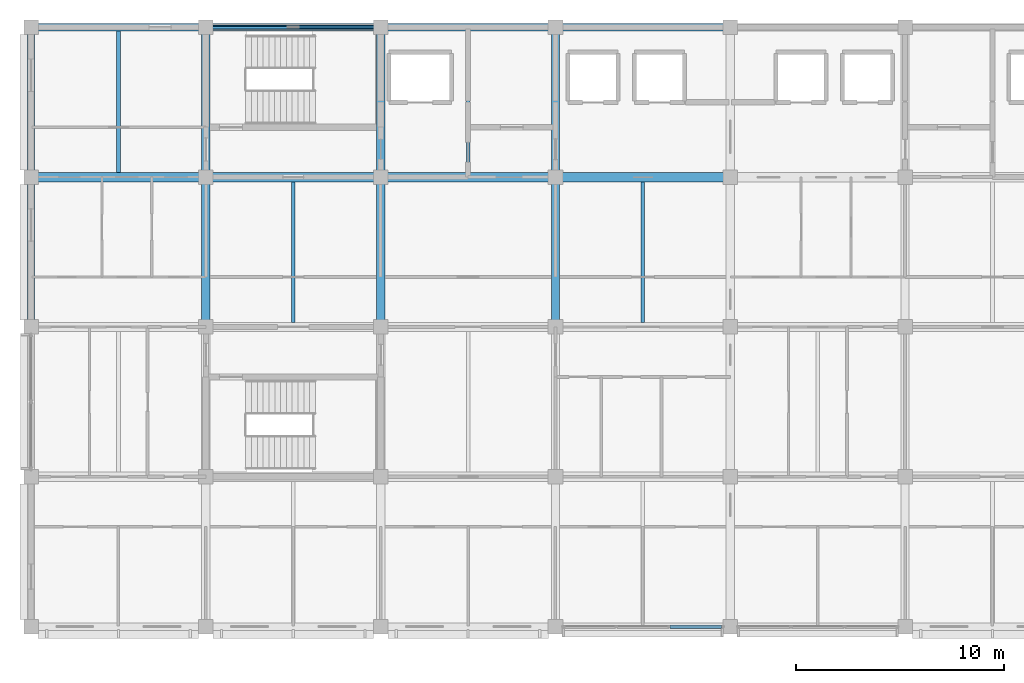
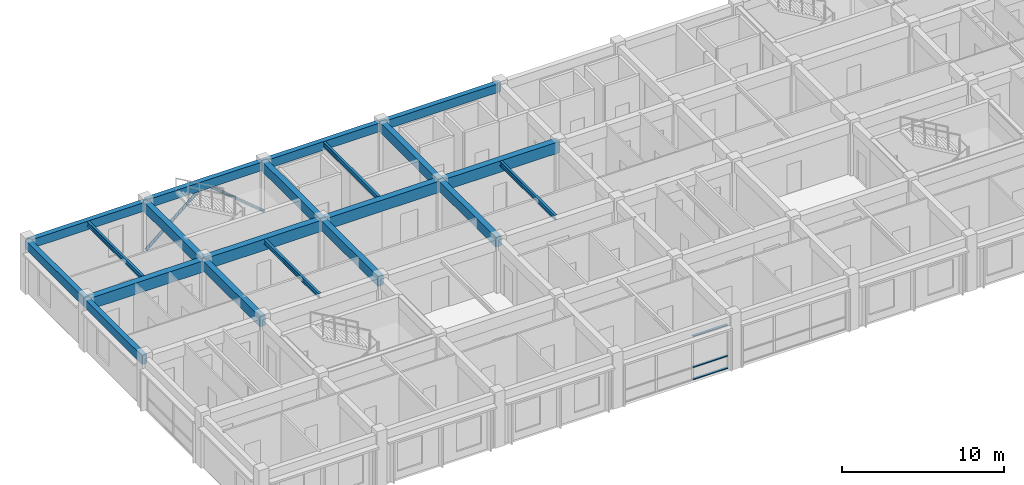
# One storey, part 4 of 19: 20 beams, 5 members, 1 element without a shape of its own.
"""IFC4 building model written with IfcOpenShell, lengths in metres."""

from ifc_helpers import new_model, si_unit, direction, frame, origin, origin_2d, place, context, subcontext, project, spatial, rectangle, hollow_circle, i_section, extrude, material, layer, layer_set, material_profile, profile_set, type_object, element, aggregate, save


model = new_model("IFC4")

# Units and contexts
model_context = context("Model", 3, precision=1e-05, world=origin(), true_north=direction((0.0, 1.0)))
body_context = subcontext(model_context, "Body", "Model", "MODEL_VIEW")
ifc_project = project(units=[si_unit("LENGTHUNIT", "METRE"), si_unit("AREAUNIT", "SQUARE_METRE"), si_unit("VOLUMEUNIT", "CUBIC_METRE"), si_unit("PLANEANGLEUNIT", "RADIAN"), si_unit("MASSUNIT", "GRAM", prefix="KILO")], contexts=[model_context])

# Site, building, storey
site_placement = place(None, origin())
site = spatial("IfcSite", under=ifc_project, at=site_placement, CompositionType="ELEMENT")
building_placement = place(site_placement, origin())
building = spatial("IfcBuilding", under=site, at=building_placement, Name="Chengyuan Square Courthouse", CompositionType="ELEMENT")
storey_placement = place(building_placement, frame((0.0, 0.0, 56.10009765625)))
storey = spatial("IfcBuildingStorey", under=building, at=storey_placement, Name="L13", CompositionType="ELEMENT", Elevation=56.10009765625)

# Beams
ifc_material_1 = material(Name="Concrete C40", Category="concrete")
ifc_material_profile_1 = material_profile(ifc_material_1, rectangle(XDim=0.449951171875, YDim=0.85009765625, at=origin_2d()), Name="RC-BM-450x850")
ifc_profile_set_1 = profile_set([ifc_material_profile_1], Name="Concrete C40")
beam_type_1 = type_object("IfcBeamType", Name="BM-01", PredefinedType="USERDEFINED", material=ifc_profile_set_1)
beam_1_placement = place(storey_placement, frame((50.39990234375, 100.800048828125, 3.4248046875), z_axis=(1.0, 0.0, 0.0), x_axis=(0.0, 1.0, 0.0)))
element("IfcBeam", 1, at=beam_1_placement, inside=storey, type_object=beam_type_1, Name="Girder BM-L13-4359", ObjectType="GIRDER", PredefinedType="USERDEFINED", context=body_context, shape_type="SweptSolid", body=[
    extrude(rectangle(XDim=0.449951171875, YDim=0.85009765625, at=origin_2d()), origin(), (0.0, 0.0, 1.0), 8.400146484375),
])
beam_2_placement = place(storey_placement, frame((58.800048828125, 100.800048828125, 3.534912109375), z_axis=(1.0, 0.0, 0.0), x_axis=(0.0, 1.0, 0.0)))
element("IfcBeam", 2, at=beam_2_placement, inside=storey, type_object=beam_type_1, Name="Girder BM-L13-4360", ObjectType="GIRDER", PredefinedType="USERDEFINED", context=body_context, shape_type="SweptSolid", body=[
    extrude(rectangle(XDim=0.449951171875, YDim=0.85009765625, at=origin_2d()), origin(), (0.0, 0.0, 1.0), 8.39990234375),
])
beam_3_placement = place(storey_placement, frame((67.199951171875, 100.800048828125, 3.534912109375), z_axis=(1.0, 0.0, 0.0), x_axis=(0.0, 1.0, 0.0)))
element("IfcBeam", 3, at=beam_3_placement, inside=storey, type_object=beam_type_1, Name="Girder BM-L13-4361", ObjectType="GIRDER", PredefinedType="USERDEFINED", context=body_context, shape_type="SweptSolid", body=[
    extrude(rectangle(XDim=0.449951171875, YDim=0.85009765625, at=origin_2d()), origin(), (0.0, 0.0, 1.0), 8.400146484375),
])
beam_4_placement = place(storey_placement, frame((75.60009765625, 100.800048828125, 3.534912109375), z_axis=(1.0, 0.0, 0.0), x_axis=(0.0, 1.0, 0.0)))
element("IfcBeam", 4, at=beam_4_placement, inside=storey, type_object=beam_type_1, Name="Girder BM-L13-4362", ObjectType="GIRDER", PredefinedType="USERDEFINED", context=body_context, shape_type="SweptSolid", body=[
    extrude(rectangle(XDim=0.449951171875, YDim=0.85009765625, at=origin_2d()), origin(), (0.0, 0.0, 1.0), 8.39990234375),
])
ifc_material_profile_2 = material_profile(ifc_material_1, rectangle(XDim=0.39990234375, YDim=0.75, at=origin_2d()), Name="RC-BM-400x750")
ifc_profile_set_2 = profile_set([ifc_material_profile_2], Name="Concrete C40")
beam_type_2 = type_object("IfcBeamType", Name="BM-02", PredefinedType="USERDEFINED", material=ifc_profile_set_2)
for number, where, z_axis, x_axis, name in (
    (5, (58.800048828125, 93.60009765625, 3.474853515625), (0.0, 1.0, 0.0), (-1.0, 0.0, 0.0), "Girder BM-L13-4381"),
    (6, (58.800048828125, 100.800048828125, 3.474853515625), (0.0, 1.0, 0.0), (-1.0, 0.0, 0.0), "Girder BM-L13-4382"),
    (7, (67.199951171875, 93.60009765625, 3.5849609375), (0.0, 1.0, 0.0), (-1.0, 0.0, 0.0), "Girder BM-L13-4385"),
    (8, (67.199951171875, 100.800048828125, 3.5849609375), (0.0, 1.0, 0.0), (-1.0, 0.0, 0.0), "Girder BM-L13-4386"),
    (9, (75.60009765625, 93.60009765625, 3.5849609375), (0.0, 1.0, 0.0), (-1.0, 0.0, 0.0), "Girder BM-L13-4389"),
    (10, (75.60009765625, 100.800048828125, 3.5849609375), (0.0, 1.0, 0.0), (-1.0, 0.0, 0.0), "Girder BM-L13-4390"),
):
    element("IfcBeam", number, at=place(storey_placement, frame(where, z_axis=z_axis, x_axis=x_axis)), inside=storey, type_object=beam_type_2, Name=name, ObjectType="GIRDER", PredefinedType="USERDEFINED", context=body_context, shape_type="SweptSolid", body=[
        extrude(rectangle(XDim=0.39990234375, YDim=0.75, at=origin_2d()), origin(), (0.0, 0.0, 1.0), 7.199951171875),
    ])
ifc_material_profile_3 = material_profile(ifc_material_1, rectangle(XDim=0.35009765625, YDim=0.64990234375, at=origin_2d()), Name="RC-BM-350x650")
ifc_profile_set_3 = profile_set([ifc_material_profile_3], Name="Concrete C40")
beam_type_3 = type_object("IfcBeamType", Name="BM-03", PredefinedType="SPANDREL", material=ifc_profile_set_3)
beam_5_placement = place(storey_placement, frame((50.39990234375, 108.0, 3.52490234375), z_axis=(1.0, 0.0, 0.0), x_axis=(0.0, 1.0, 0.0)))
element("IfcBeam", 11, at=beam_5_placement, inside=storey, type_object=beam_type_3, Name="Girder BM-L13-4367", PredefinedType="SPANDREL", context=body_context, shape_type="SweptSolid", body=[
    extrude(rectangle(XDim=0.35009765625, YDim=0.64990234375, at=origin_2d()), origin(), (0.0, 0.0, 1.0), 8.400146484375),
])
beam_6_placement = place(storey_placement, frame((58.800048828125, 108.0, 3.635009765625), z_axis=(1.0, 0.0, 0.0), x_axis=(0.0, 1.0, 0.0)))
element("IfcBeam", 12, at=beam_6_placement, inside=storey, type_object=beam_type_3, Name="Girder BM-L13-4368", PredefinedType="SPANDREL", context=body_context, shape_type="SweptSolid", body=[
    extrude(rectangle(XDim=0.35009765625, YDim=0.64990234375, at=origin_2d()), origin(), (0.0, 0.0, 1.0), 8.39990234375),
])
beam_7_placement = place(storey_placement, frame((67.199951171875, 108.0, 3.635009765625), z_axis=(1.0, 0.0, 0.0), x_axis=(0.0, 1.0, 0.0)))
element("IfcBeam", 13, at=beam_7_placement, inside=storey, type_object=beam_type_3, Name="Girder BM-L13-4369", PredefinedType="SPANDREL", context=body_context, shape_type="SweptSolid", body=[
    extrude(rectangle(XDim=0.35009765625, YDim=0.64990234375, at=origin_2d()), origin(), (0.0, 0.0, 1.0), 8.400146484375),
])
beam_8_placement = place(storey_placement, frame((75.60009765625, 108.0, 3.635009765625), z_axis=(1.0, 0.0, 0.0), x_axis=(0.0, 1.0, 0.0)))
element("IfcBeam", 14, at=beam_8_placement, inside=storey, type_object=beam_type_3, Name="Girder BM-L13-4370", PredefinedType="SPANDREL", context=body_context, shape_type="SweptSolid", body=[
    extrude(rectangle(XDim=0.35009765625, YDim=0.64990234375, at=origin_2d()), origin(), (0.0, 0.0, 1.0), 8.39990234375),
])
for number, where, z_axis, x_axis, name in (
    (15, (50.39990234375, 93.60009765625, 3.52490234375), (0.0, 1.0, 0.0), (-1.0, 0.0, 0.0), "Girder BM-L13-4377"),
    (16, (50.39990234375, 100.800048828125, 3.52490234375), (0.0, 1.0, 0.0), (-1.0, 0.0, 0.0), "Girder BM-L13-4378"),
):
    element("IfcBeam", number, at=place(storey_placement, frame(where, z_axis=z_axis, x_axis=x_axis)), inside=storey, type_object=beam_type_3, Name=name, PredefinedType="SPANDREL", context=body_context, shape_type="SweptSolid", body=[
        extrude(rectangle(XDim=0.35009765625, YDim=0.64990234375, at=origin_2d()), origin(), (0.0, 0.0, 1.0), 7.199951171875),
    ])
ifc_material_2 = material(Name="Steel Q355B", Category="steel")
ifc_material_profile_4 = material_profile(ifc_material_2, i_section(OverallWidth=0.175048828125, OverallDepth=0.35009765625, WebThickness=0.007080078125, FlangeThickness=0.010986328125, at=origin_2d()), Name="HN 350x175x7x11")
ifc_profile_set_4 = profile_set([ifc_material_profile_4], Name="Steel Q355B")
beam_type_4 = type_object("IfcBeamType", Name="BM-08", PredefinedType="BEAM", material=ifc_profile_set_4)
beam_9_placement = place(storey_placement, frame((54.60009765625, 101.02490234375, 3.6748046875), z_axis=(0.0, 1.0, 0.0), x_axis=(-1.0, 0.0, 0.0)))
element("IfcBeam", 17, at=beam_9_placement, inside=storey, type_object=beam_type_4, Name="Secondary Floor Beam SBM-L13-4412", PredefinedType="BEAM", context=body_context, shape_type="SweptSolid", body=[
    extrude(i_section(OverallWidth=0.175048828125, OverallDepth=0.35009765625, WebThickness=0.007080078125, FlangeThickness=0.010986328125, at=origin_2d()), origin(), (0.0, 0.0, 1.0), 6.800048828125),
])
beam_10_placement = place(storey_placement, frame((63.0, 93.824951171875, 3.784912109375), z_axis=(0.0, 1.0, 0.0), x_axis=(-1.0, 0.0, 0.0)))
element("IfcBeam", 18, at=beam_10_placement, inside=storey, type_object=beam_type_4, Name="Secondary Floor Beam SBM-L13-4414", PredefinedType="BEAM", context=body_context, shape_type="SweptSolid", body=[
    extrude(i_section(OverallWidth=0.175048828125, OverallDepth=0.35009765625, WebThickness=0.007080078125, FlangeThickness=0.010986328125, at=origin_2d()), origin(), (0.0, 0.0, 1.0), 6.75),
])
beam_11_placement = place(storey_placement, frame((71.39990234375, 101.02490234375, 3.784912109375), z_axis=(0.0, 1.0, 0.0), x_axis=(-1.0, 0.0, 0.0)))
element("IfcBeam", 19, at=beam_11_placement, inside=storey, type_object=beam_type_4, Name="Secondary Floor Beam SBM-L13-4416", PredefinedType="BEAM", context=body_context, shape_type="SweptSolid", body=[
    extrude(i_section(OverallWidth=0.175048828125, OverallDepth=0.35009765625, WebThickness=0.007080078125, FlangeThickness=0.010986328125, at=origin_2d()), origin(), (0.0, 0.0, 1.0), 6.800048828125),
])
beam_12_placement = place(storey_placement, frame((79.800048828125, 93.824951171875, 3.784912109375), z_axis=(0.0, 1.0, 0.0), x_axis=(-1.0, 0.0, 0.0)))
element("IfcBeam", 20, at=beam_12_placement, inside=storey, type_object=beam_type_4, Name="Secondary Floor Beam SBM-L13-4418", PredefinedType="BEAM", context=body_context, shape_type="SweptSolid", body=[
    extrude(i_section(OverallWidth=0.175048828125, OverallDepth=0.35009765625, WebThickness=0.007080078125, FlangeThickness=0.010986328125, at=origin_2d()), origin(), (0.0, 0.0, 1.0), 6.75),
])

# Members
ifc_material_profile_5 = material_profile(ifc_material_2, hollow_circle(Radius=0.109619140625, WallThickness=0.008056640625, at=origin_2d()), Name="CHS 219x8")
ifc_profile_set_5 = profile_set([ifc_material_profile_5], Name="Steel Q355B")
member_type_1 = type_object("IfcMemberType", Name="BR-02", PredefinedType="BRACE", material=ifc_profile_set_5)
for number, where, z_axis, x_axis, name in (
    (21, (58.800048828125, 108.0, 0.099853515625), (0.767317473151, 0.0, 0.641267413329), (0.0, 1.0, 0.0), "Steel Chevron Brace BR-L13-049"),
    (22, (67.199951171875, 108.0, 0.099853515625), (-0.767317473151, 0.0, 0.641267413329), (0.0, -1.0, 0.0), "Steel Chevron Brace BR-L13-050"),
):
    element("IfcMember", number, at=place(storey_placement, frame(where, z_axis=z_axis, x_axis=x_axis)), inside=storey, type_object=member_type_1, Name=name, PredefinedType="BRACE", context=body_context, shape_type="SweptSolid", body=[
        extrude(hollow_circle(Radius=0.109619140625, WallThickness=0.008056640625, at=origin_2d()), origin(), (0.0, 0.0, 1.0), 5.4736328125),
    ])

# Curtain wall, members
ifc_material_3 = material(Name="Unitised Aluminium and Triple Low-E Glass", Category="aluminium")
ifc_layer = layer(ifc_material_3, 0.159912109375)
ifc_layer_set = layer_set([ifc_layer], Name="Unitised Aluminium and Triple Low-E Glass")
curtain_wall_type = type_object("IfcCurtainWallType", Name="CW-13", PredefinedType="USERDEFINED", material=ifc_layer_set)
curtain_wall_placement = place(storey_placement, origin())
curtain_wall = element("IfcCurtainWall", 23, at=curtain_wall_placement, inside=storey, type_object=curtain_wall_type, Name="Unitised Curtain Wall CW-L13-267", ObjectType="UNITISED CURTAIN WALL", PredefinedType="USERDEFINED")
ifc_material_4 = material(Name="Aluminium 6063-T6 Frame", Category="aluminium")
ifc_material_profile_6 = material_profile(ifc_material_4, rectangle(XDim=0.159912109375, YDim=0.06005859375, at=origin_2d()), Name="CW-TRN-60x120")
ifc_profile_set_6 = profile_set([ifc_material_profile_6], Name="Aluminium 6063-T6 Frame")
member_type_2 = type_object("IfcMemberType", Name="CWT-01", PredefinedType="USERDEFINED", material=ifc_profile_set_6)
member_1_placement = place(storey_placement, frame((81.11328125, 79.199951171875, 0.02978515625), z_axis=(1.0, 0.0, 0.0), x_axis=(0.0, 1.0, 0.0)))
member_1 = element("IfcMember", 24, at=member_1_placement, type_object=member_type_2, Name="CW-13 transom 3.1", ObjectType="TRANSOM", PredefinedType="USERDEFINED", context=body_context, shape_type="SweptSolid", body=[
    extrude(rectangle(XDim=0.159912109375, YDim=0.06005859375, at=origin_2d()), origin(), (0.0, 0.0, 1.0), 2.476806640625),
])
member_2_placement = place(storey_placement, frame((81.11328125, 79.199951171875, 0.949951171875), z_axis=(1.0, 0.0, 0.0), x_axis=(0.0, 1.0, 0.0)))
member_2 = element("IfcMember", 25, at=member_2_placement, type_object=member_type_2, Name="CW-13 transom 3.2", ObjectType="TRANSOM", PredefinedType="USERDEFINED", context=body_context, shape_type="SweptSolid", body=[
    extrude(rectangle(XDim=0.159912109375, YDim=0.06005859375, at=origin_2d()), origin(), (0.0, 0.0, 1.0), 2.476806640625),
])
member_3_placement = place(storey_placement, frame((81.11328125, 79.199951171875, 3.27978515625), z_axis=(1.0, 0.0, 0.0), x_axis=(0.0, 1.0, 0.0)))
member_3 = element("IfcMember", 26, at=member_3_placement, type_object=member_type_2, Name="CW-13 transom 3.3", ObjectType="TRANSOM", PredefinedType="USERDEFINED", context=body_context, shape_type="SweptSolid", body=[
    extrude(rectangle(XDim=0.159912109375, YDim=0.06005859375, at=origin_2d()), origin(), (0.0, 0.0, 1.0), 2.476806640625),
])
aggregate(curtain_wall, [member_1, member_2, member_3])

save(model, "model.ifc")
